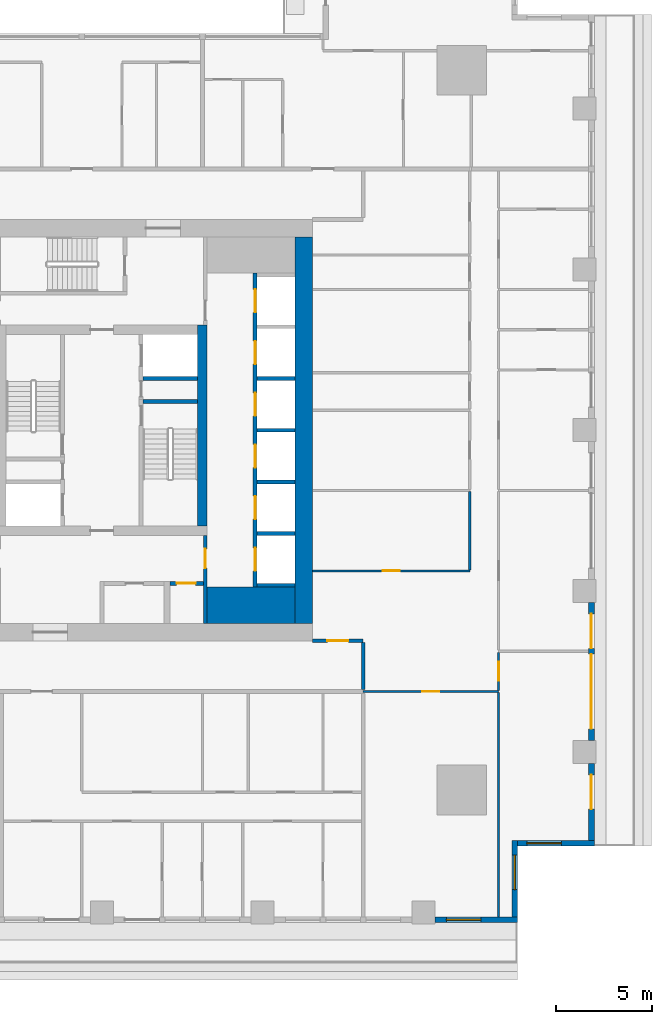
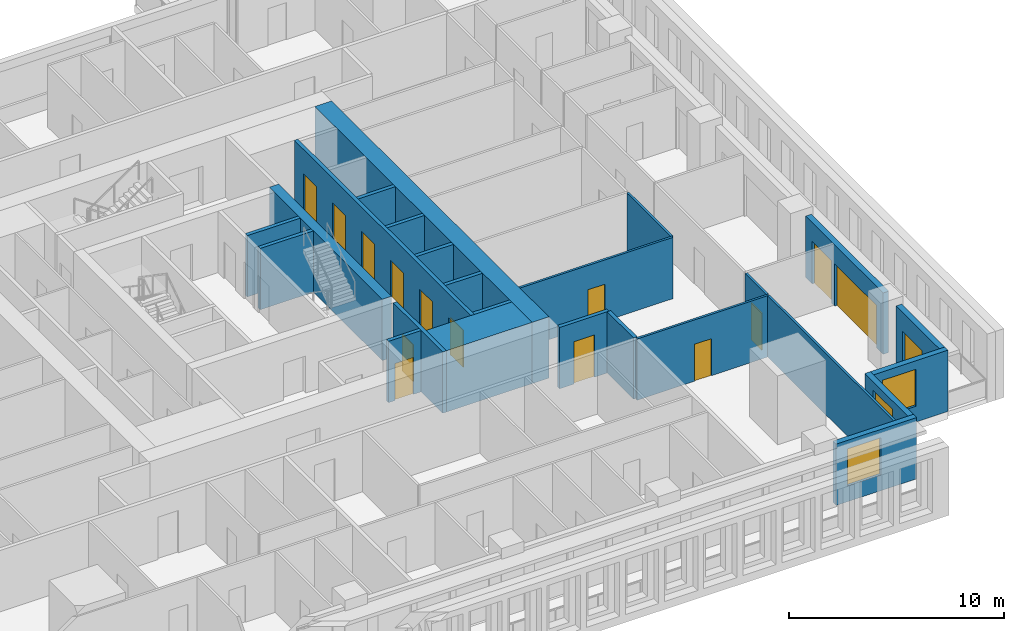
# One storey, part 5 of 15: 25 walls, 15 doors, 3 windows, 18 openings.
"""IFC4 building model written with IfcOpenShell, lengths in metres."""

from ifc_helpers import new_model, si_unit, direction, frame, frame_2d, origin, place, context, subcontext, project, spatial, rectangle, extrude, material, layer, layer_set, type_object, element, fill, save


model = new_model("IFC4")

# Units and contexts
model_context = context("Model", 3, precision=1e-05, world=origin(), true_north=direction((0.0, 1.0)))
body_context = subcontext(model_context, "Body", "Model", "MODEL_VIEW")
ifc_project = project(units=[si_unit("LENGTHUNIT", "METRE"), si_unit("AREAUNIT", "SQUARE_METRE"), si_unit("VOLUMEUNIT", "CUBIC_METRE"), si_unit("PLANEANGLEUNIT", "RADIAN"), si_unit("MASSUNIT", "GRAM", prefix="KILO")], contexts=[model_context])

# Site, building, storey
site_placement = place(None, origin())
site = spatial("IfcSite", under=ifc_project, at=site_placement, CompositionType="ELEMENT")
building_placement = place(site_placement, origin())
building = spatial("IfcBuilding", under=site, at=building_placement, Name="Khepri Terraces", CompositionType="ELEMENT")
storey_placement = place(building_placement, frame((0.0, 0.0, 165.0)))
storey = spatial("IfcBuildingStorey", under=building, at=storey_placement, Name="L39", CompositionType="ELEMENT", Elevation=165.0)

# Walls
ifc_material_1 = material(Name="Concrete C60/75", Category="concrete")
ifc_layer_1 = layer(ifc_material_1, 1.89990234375, Name="Concrete C60/75", Category="concrete")
ifc_layer_set_1 = layer_set([ifc_layer_1], Name="Concrete C60/75")
wall_type_1 = type_object("IfcWallType", Name="Core wall 1900 C60/75", PredefinedType="SHEAR", material=ifc_layer_set_1)
wall_1_placement = place(storey_placement, frame((5.5, -9.14990234375, 0.0), z_axis=(0.0, 0.0, 1.0), x_axis=(1.0, 0.0, 0.0)))
element("IfcWall", 1, at=wall_1_placement, inside=storey, type_object=wall_type_1, Name="Core wall PR02 L39", PredefinedType="SHEAR", context=body_context, shape_type="SweptSolid", body=[
    extrude(rectangle(XDim=4.60009765625, YDim=1.89990234375, at=frame_2d((2.300048828125, 0.0))), origin(), (0.0, 0.0, 1.0), 3.47998046875),
])
ifc_layer_2 = layer(ifc_material_1, 0.199951171875, Name="Concrete C60/75", Category="concrete")
ifc_layer_set_2 = layer_set([ifc_layer_2], Name="Concrete C60/75")
wall_type_2 = type_object("IfcWallType", Name="Core wall 200 C60/75", PredefinedType="SHEAR", material=ifc_layer_set_2)
wall_2_placement = place(storey_placement, frame((2.14990234375, 1.5, 0.0), z_axis=(0.0, 0.0, 1.0), x_axis=(1.0, 0.0, 0.0)))
element("IfcWall", 2, at=wall_2_placement, inside=storey, type_object=wall_type_2, Name="Core wall ST04 L39", PredefinedType="SHEAR", context=body_context, shape_type="SweptSolid", body=[
    extrude(rectangle(XDim=2.85009765625, YDim=0.199951171875, at=frame_2d((1.425048828125, 0.0))), origin(), (0.0, 0.0, 1.0), 3.47998046875),
])

# Wall, openings, doors
wall_3_placement = place(storey_placement, frame((8.0, -8.199951171875, 0.0), z_axis=(0.0, 0.0, 1.0), x_axis=(0.0, 1.0, 0.0)))
wall_3 = element("IfcWall", 3, at=wall_3_placement, inside=storey, type_object=wall_type_2, Name="Core wall SH02 L39", PredefinedType="SHEAR", context=body_context, shape_type="SweptSolid", body=[
    extrude(rectangle(XDim=16.39990234375, YDim=0.199951171875, at=frame_2d((8.199951171875, 0.0))), origin(), (0.0, 0.0, 1.0), 3.47998046875),
])
opening_1_placement = place(wall_3_placement, frame((0.85009765625, 0.0, 0.0)))
opening_1 = element("IfcOpeningElement", 4, at=opening_1_placement, cuts=wall_3, Name="Opening L39-C01", PredefinedType="OPENING", context=body_context, shape_type="SweptSolid", body=[
    extrude(rectangle(XDim=1.199951171875, YDim=2.10009765625, at=frame_2d((0.60009765625, 1.050048828125))), frame((0.0, 0.10986328125, 0.0), z_axis=(0.0, -1.0, 0.0), x_axis=(1.0, 0.0, 0.0)), (0.0, 0.0, 1.0), 0.219970703125),
])
opening_2_placement = place(wall_3_placement, frame((3.550048828125, 0.0, 0.0)))
opening_2 = element("IfcOpeningElement", 5, at=opening_2_placement, cuts=wall_3, Name="Opening L39-C02", PredefinedType="OPENING", context=body_context, shape_type="SweptSolid", body=[
    extrude(rectangle(XDim=1.199951171875, YDim=2.10009765625, at=frame_2d((0.60009765625, 1.050048828125))), frame((0.0, 0.10986328125, 0.0), z_axis=(0.0, -1.0, 0.0), x_axis=(1.0, 0.0, 0.0)), (0.0, 0.0, 1.0), 0.219970703125),
])
opening_3_placement = place(wall_3_placement, frame((6.25, 0.0, 0.0)))
opening_3 = element("IfcOpeningElement", 6, at=opening_3_placement, cuts=wall_3, Name="Opening L39-C03", PredefinedType="OPENING", context=body_context, shape_type="SweptSolid", body=[
    extrude(rectangle(XDim=1.199951171875, YDim=2.10009765625, at=frame_2d((0.60009765625, 1.050048828125))), frame((0.0, 0.10986328125, 0.0), z_axis=(0.0, -1.0, 0.0), x_axis=(1.0, 0.0, 0.0)), (0.0, 0.0, 1.0), 0.219970703125),
])
opening_4_placement = place(wall_3_placement, frame((8.949951171875, 0.0, 0.0)))
opening_4 = element("IfcOpeningElement", 7, at=opening_4_placement, cuts=wall_3, Name="Opening L39-C04", PredefinedType="OPENING", context=body_context, shape_type="SweptSolid", body=[
    extrude(rectangle(XDim=1.199951171875, YDim=2.10009765625, at=frame_2d((0.60009765625, 1.050048828125))), frame((0.0, 0.10986328125, 0.0), z_axis=(0.0, -1.0, 0.0), x_axis=(1.0, 0.0, 0.0)), (0.0, 0.0, 1.0), 0.219970703125),
])
opening_5_placement = place(wall_3_placement, frame((11.64990234375, 0.0, 0.0)))
opening_5 = element("IfcOpeningElement", 8, at=opening_5_placement, cuts=wall_3, Name="Opening L39-C05", PredefinedType="OPENING", context=body_context, shape_type="SweptSolid", body=[
    extrude(rectangle(XDim=1.199951171875, YDim=2.10009765625, at=frame_2d((0.60009765625, 1.050048828125))), frame((0.0, 0.10986328125, 0.0), z_axis=(0.0, -1.0, 0.0), x_axis=(1.0, 0.0, 0.0)), (0.0, 0.0, 1.0), 0.219970703125),
])
opening_6_placement = place(wall_3_placement, frame((14.35009765625, 0.0, 0.0)))
opening_6 = element("IfcOpeningElement", 9, at=opening_6_placement, cuts=wall_3, Name="Opening L39-C06", PredefinedType="OPENING", context=body_context, shape_type="SweptSolid", body=[
    extrude(rectangle(XDim=1.199951171875, YDim=2.10009765625, at=frame_2d((0.60009765625, 1.050048828125))), frame((0.0, 0.10986328125, 0.0), z_axis=(0.0, -1.0, 0.0), x_axis=(1.0, 0.0, 0.0)), (0.0, 0.0, 1.0), 0.219970703125),
])
ifc_material_2 = material(Name="Stainless steel 304", Category="steel")
door_type_1 = type_object("IfcDoorType", Name="DR-CORE-LANDING-1200", OperationType="NOTDEFINED", PredefinedType="DOOR", material=ifc_material_2)
door_1_placement = place(opening_1_placement, origin())
door_1 = element("IfcDoor", 10, at=door_1_placement, inside=storey, type_object=door_type_1, Name="Lift landing door L39-C01", OperationType="SLIDING_TO_LEFT", OverallHeight=2.10009765625, OverallWidth=1.199951171875, PredefinedType="DOOR", context=body_context, shape_type="SweptSolid", body=[
    extrude(rectangle(XDim=1.199951171875, YDim=2.10009765625, at=frame_2d((0.60009765625, 1.050048828125))), frame((0.0, 0.02490234375, 0.0), z_axis=(0.0, -1.0, 0.0), x_axis=(1.0, 0.0, 0.0)), (0.0, 0.0, 1.0), 0.050048828125),
])
fill(opening_1, door_1)
door_2_placement = place(opening_2_placement, origin())
door_2 = element("IfcDoor", 11, at=door_2_placement, inside=storey, type_object=door_type_1, Name="Lift landing door L39-C02", OperationType="SLIDING_TO_LEFT", OverallHeight=2.10009765625, OverallWidth=1.199951171875, PredefinedType="DOOR", context=body_context, shape_type="SweptSolid", body=[
    extrude(rectangle(XDim=1.199951171875, YDim=2.10009765625, at=frame_2d((0.60009765625, 1.050048828125))), frame((0.0, 0.02490234375, 0.0), z_axis=(0.0, -1.0, 0.0), x_axis=(1.0, 0.0, 0.0)), (0.0, 0.0, 1.0), 0.050048828125),
])
fill(opening_2, door_2)
door_3_placement = place(opening_3_placement, origin())
door_3 = element("IfcDoor", 12, at=door_3_placement, inside=storey, type_object=door_type_1, Name="Lift landing door L39-C03", OperationType="SLIDING_TO_LEFT", OverallHeight=2.10009765625, OverallWidth=1.199951171875, PredefinedType="DOOR", context=body_context, shape_type="SweptSolid", body=[
    extrude(rectangle(XDim=1.199951171875, YDim=2.10009765625, at=frame_2d((0.60009765625, 1.050048828125))), frame((0.0, 0.02490234375, 0.0), z_axis=(0.0, -1.0, 0.0), x_axis=(1.0, 0.0, 0.0)), (0.0, 0.0, 1.0), 0.050048828125),
])
fill(opening_3, door_3)
door_4_placement = place(opening_4_placement, origin())
door_4 = element("IfcDoor", 13, at=door_4_placement, inside=storey, type_object=door_type_1, Name="Lift landing door L39-C04", OperationType="SLIDING_TO_LEFT", OverallHeight=2.10009765625, OverallWidth=1.199951171875, PredefinedType="DOOR", context=body_context, shape_type="SweptSolid", body=[
    extrude(rectangle(XDim=1.199951171875, YDim=2.10009765625, at=frame_2d((0.60009765625, 1.050048828125))), frame((0.0, 0.02490234375, 0.0), z_axis=(0.0, -1.0, 0.0), x_axis=(1.0, 0.0, 0.0)), (0.0, 0.0, 1.0), 0.050048828125),
])
fill(opening_4, door_4)
door_5_placement = place(opening_5_placement, origin())
door_5 = element("IfcDoor", 14, at=door_5_placement, inside=storey, type_object=door_type_1, Name="Lift landing door L39-C05", OperationType="SLIDING_TO_LEFT", OverallHeight=2.10009765625, OverallWidth=1.199951171875, PredefinedType="DOOR", context=body_context, shape_type="SweptSolid", body=[
    extrude(rectangle(XDim=1.199951171875, YDim=2.10009765625, at=frame_2d((0.60009765625, 1.050048828125))), frame((0.0, 0.02490234375, 0.0), z_axis=(0.0, -1.0, 0.0), x_axis=(1.0, 0.0, 0.0)), (0.0, 0.0, 1.0), 0.050048828125),
])
fill(opening_5, door_5)
door_6_placement = place(opening_6_placement, origin())
door_6 = element("IfcDoor", 15, at=door_6_placement, inside=storey, type_object=door_type_1, Name="Lift landing door L39-C06", OperationType="SLIDING_TO_LEFT", OverallHeight=2.10009765625, OverallWidth=1.199951171875, PredefinedType="DOOR", context=body_context, shape_type="SweptSolid", body=[
    extrude(rectangle(XDim=1.199951171875, YDim=2.10009765625, at=frame_2d((0.60009765625, 1.050048828125))), frame((0.0, 0.02490234375, 0.0), z_axis=(0.0, -1.0, 0.0), x_axis=(1.0, 0.0, 0.0)), (0.0, 0.0, 1.0), 0.050048828125),
])
fill(opening_6, door_6)

# Walls
for number, where, z_axis, x_axis, name in (
    (16, (8.10009765625, -8.10009765625, 0.0), (0.0, 0.0, 1.0), (1.0, 0.0, 0.0), "Core wall SH03 L39"),
    (17, (8.10009765625, -5.39990234375, 0.0), (0.0, 0.0, 1.0), (1.0, 0.0, 0.0), "Core wall SH04 L39"),
    (18, (8.10009765625, -2.699951171875, 0.0), (0.0, 0.0, 1.0), (1.0, 0.0, 0.0), "Core wall SH08 L39"),
    (19, (8.10009765625, 0.0, 0.0), (0.0, 0.0, 1.0), (1.0, 0.0, 0.0), "Core wall SH09 L39"),
):
    element("IfcWall", number, at=place(storey_placement, frame(where, z_axis=z_axis, x_axis=x_axis)), inside=storey, type_object=wall_type_2, Name=name, PredefinedType="SHEAR", context=body_context, shape_type="SweptSolid", body=[
        extrude(rectangle(XDim=2.0, YDim=0.199951171875, at=frame_2d((1.0, 0.0))), origin(), (0.0, 0.0, 1.0), 3.47998046875),
    ])
wall_4_placement = place(storey_placement, frame((2.14990234375, 2.699951171875, 0.0), z_axis=(0.0, 0.0, 1.0), x_axis=(1.0, 0.0, 0.0)))
element("IfcWall", 20, at=wall_4_placement, inside=storey, type_object=wall_type_2, Name="Core wall SH12 L39", PredefinedType="SHEAR", context=body_context, shape_type="SweptSolid", body=[
    extrude(rectangle(XDim=2.85009765625, YDim=0.199951171875, at=frame_2d((1.425048828125, 0.0))), origin(), (0.0, 0.0, 1.0), 3.47998046875),
])
wall_5_placement = place(storey_placement, frame((8.10009765625, 2.699951171875, 0.0), z_axis=(0.0, 0.0, 1.0), x_axis=(1.0, 0.0, 0.0)))
element("IfcWall", 21, at=wall_5_placement, inside=storey, type_object=wall_type_2, Name="Core wall SH13 L39", PredefinedType="SHEAR", context=body_context, shape_type="SweptSolid", body=[
    extrude(rectangle(XDim=2.0, YDim=0.199951171875, at=frame_2d((1.0, 0.0))), origin(), (0.0, 0.0, 1.0), 3.47998046875),
])
ifc_layer_3 = layer(ifc_material_1, 0.5, Name="Concrete C60/75", Category="concrete")
ifc_layer_set_3 = layer_set([ifc_layer_3], Name="Concrete C60/75")
wall_type_3 = type_object("IfcWallType", Name="Core wall 500 C60/75", PredefinedType="SHEAR", material=ifc_layer_set_3)
wall_6_placement = place(storey_placement, frame((5.25, -5.0, 0.0), z_axis=(0.0, 0.0, 1.0), x_axis=(0.0, 1.0, 0.0)))
element("IfcWall", 22, at=wall_6_placement, inside=storey, type_object=wall_type_3, Name="Core wall BX03 L39", PredefinedType="SHEAR", context=body_context, shape_type="SweptSolid", body=[
    extrude(rectangle(XDim=10.5, YDim=0.5, at=frame_2d((5.25, 0.0))), origin(), (0.0, 0.0, 1.0), 3.47998046875),
])
ifc_layer_4 = layer(ifc_material_1, 0.89990234375, Name="Concrete C60/75", Category="concrete")
ifc_layer_set_4 = layer_set([ifc_layer_4], Name="Concrete C60/75")
wall_type_4 = type_object("IfcWallType", Name="Core wall 900 C60/75", PredefinedType="SHEAR", material=ifc_layer_set_4)
wall_7_placement = place(storey_placement, frame((10.550048828125, -10.10009765625, 0.0), z_axis=(0.0, 0.0, 1.0), x_axis=(0.0, 1.0, 0.0)))
element("IfcWall", 23, at=wall_7_placement, inside=storey, type_object=wall_type_4, Name="Core wall OW-E L39", PredefinedType="SHEAR", context=body_context, shape_type="SweptSolid", body=[
    extrude(rectangle(XDim=20.2001953125, YDim=0.89990234375, at=frame_2d((10.10009765625, 0.0))), origin(), (0.0, 0.0, 1.0), 3.47998046875),
])

# Wall, opening, door
ifc_material_3 = material(Name="Fire-rated gypsum board partition")
ifc_layer_5 = layer(ifc_material_3, 0.199951171875, Name="Fire-rated gypsum board partition")
ifc_layer_set_5 = layer_set([ifc_layer_5], Name="Fire-rated gypsum board partition")
wall_type_5 = type_object("IfcWallType", Name="WL-CORE-PART-200", PredefinedType="PARTITIONING", material=ifc_layer_set_5)
wall_8_placement = place(storey_placement, frame((5.39990234375, -10.10009765625, 0.0), z_axis=(0.0, 0.0, 1.0), x_axis=(0.0, 1.0, 0.0)))
wall_8 = element("IfcWall", 24, at=wall_8_placement, inside=storey, type_object=wall_type_5, Name="Core partition PT04 L39", PredefinedType="PARTITIONING", context=body_context, shape_type="SweptSolid", body=[
    extrude(rectangle(XDim=4.60009765625, YDim=0.199951171875, at=frame_2d((2.300048828125, 0.0))), origin(), (0.0, 0.0, 1.0), 3.47998046875),
])
opening_7_placement = place(wall_8_placement, frame((2.89990234375, 0.0, 0.0)))
opening_7 = element("IfcOpeningElement", 25, at=opening_7_placement, cuts=wall_8, Name="Opening L39-C19", PredefinedType="OPENING", context=body_context, shape_type="SweptSolid", body=[
    extrude(rectangle(XDim=1.0, YDim=2.10009765625, at=frame_2d((0.5, 1.050048828125))), frame((0.0, 0.10986328125, 0.0), z_axis=(0.0, -1.0, 0.0), x_axis=(1.0, 0.0, 0.0)), (0.0, 0.0, 1.0), 0.219970703125),
])
ifc_material_4 = material(Name="Painted steel", Category="steel")
door_type_2 = type_object("IfcDoorType", Name="DR-CORE-LOBBY-1000", OperationType="NOTDEFINED", PredefinedType="DOOR", material=ifc_material_4)
door_7_placement = place(opening_7_placement, origin())
door_7 = element("IfcDoor", 26, at=door_7_placement, inside=storey, type_object=door_type_2, Name="Lobby door L39-C19", OperationType="SINGLE_SWING_RIGHT", OverallHeight=2.10009765625, OverallWidth=1.0, PredefinedType="DOOR", context=body_context, shape_type="SweptSolid", body=[
    extrude(rectangle(XDim=1.0, YDim=2.10009765625, at=frame_2d((0.5, 1.050048828125))), frame((0.0, 0.02490234375, 0.0), z_axis=(0.0, -1.0, 0.0), x_axis=(1.0, 0.0, 0.0)), (0.0, 0.0, 1.0), 0.050048828125),
])
fill(opening_7, door_7)

wall_9_placement = place(storey_placement, frame((3.550048828125, -8.0, 0.0), z_axis=(0.0, 0.0, 1.0), x_axis=(1.0, 0.0, 0.0)))
wall_9 = element("IfcWall", 27, at=wall_9_placement, inside=storey, type_object=wall_type_5, Name="Core partition PT07 L39", PredefinedType="PARTITIONING", context=body_context, shape_type="SweptSolid", body=[
    extrude(rectangle(XDim=1.75, YDim=0.199951171875, at=frame_2d((0.875, 0.0))), origin(), (0.0, 0.0, 1.0), 3.47998046875),
])
opening_8_placement = place(wall_9_placement, frame((0.35009765625, 0.0, 0.0)))
opening_8 = element("IfcOpeningElement", 28, at=opening_8_placement, cuts=wall_9, Name="Opening L39-C23", PredefinedType="OPENING", context=body_context, shape_type="SweptSolid", body=[
    extrude(rectangle(XDim=1.0, YDim=2.10009765625, at=frame_2d((0.5, 1.050048828125))), frame((0.0, 0.10986328125, 0.0), z_axis=(0.0, -1.0, 0.0), x_axis=(1.0, 0.0, 0.0)), (0.0, 0.0, 1.0), 0.219970703125),
])
ifc_material_5 = material(Name="Timber veneer", Category="wood")
door_type_3 = type_object("IfcDoorType", Name="DR-CORE-WC-1000", OperationType="NOTDEFINED", PredefinedType="DOOR", material=ifc_material_5)
door_8_placement = place(opening_8_placement, frame((1.0, 0.0, 0.0), z_axis=(0.0, 0.0, 1.0), x_axis=(-1.0, 0.0, 0.0)))
door_8 = element("IfcDoor", 29, at=door_8_placement, inside=storey, type_object=door_type_3, Name="WC door L39-C23", OperationType="SINGLE_SWING_RIGHT", OverallHeight=2.10009765625, OverallWidth=1.0, PredefinedType="DOOR", context=body_context, shape_type="SweptSolid", body=[
    extrude(rectangle(XDim=1.0, YDim=2.10009765625, at=frame_2d((0.5, 1.050048828125))), frame((0.0, 0.02490234375, 0.0), z_axis=(0.0, -1.0, 0.0), x_axis=(1.0, 0.0, 0.0)), (0.0, 0.0, 1.0), 0.050048828125),
])
fill(opening_8, door_8)

# Wall
ifc_material_6 = material(Name="Fire-rated gypsum plasterboard partition, mineral wool")
ifc_layer_6 = layer(ifc_material_6, 0.199951171875, Name="Fire-rated gypsum plasterboard partition, mineral wool")
ifc_layer_set_6 = layer_set([ifc_layer_6], Name="Fire-rated gypsum plasterboard partition, mineral wool")
wall_type_6 = type_object("IfcWallType", Name="WL-CORR-200", PredefinedType="PARTITIONING", material=ifc_layer_set_6)
wall_10_placement = place(storey_placement, frame((13.64990234375, -13.550048828125, 0.0), z_axis=(0.0, 0.0, 1.0), x_axis=(0.0, 1.0, 0.0)))
element("IfcWall", 30, at=wall_10_placement, inside=storey, type_object=wall_type_6, Name="Partition P-029 L39", PredefinedType="PARTITIONING", context=body_context, shape_type="SweptSolid", body=[
    extrude(rectangle(XDim=2.449951171875, YDim=0.199951171875, at=frame_2d((1.22509765625, 0.0))), origin(), (0.0, 0.0, 1.0), 3.47998046875),
])

# Wall, opening, door
wall_11_placement = place(storey_placement, frame((11.0, -11.0, 0.0), z_axis=(0.0, 0.0, 1.0), x_axis=(1.0, 0.0, 0.0)))
wall_11 = element("IfcWall", 31, at=wall_11_placement, inside=storey, type_object=wall_type_6, Name="Partition P-035 L39", PredefinedType="PARTITIONING", context=body_context, shape_type="SweptSolid", body=[
    extrude(rectangle(XDim=2.64990234375, YDim=0.199951171875, at=frame_2d((1.324951171875, 0.0))), origin(), (0.0, 0.0, 1.0), 3.47998046875),
])
opening_9_placement = place(wall_11_placement, frame((0.77490234375, 0.0, 0.0)))
opening_9 = element("IfcOpeningElement", 32, at=opening_9_placement, cuts=wall_11, Name="Opening D1", PredefinedType="OPENING", context=body_context, shape_type="SweptSolid", body=[
    extrude(rectangle(XDim=1.10009765625, YDim=2.39990234375, at=frame_2d((0.550048828125, 1.199951171875))), frame((0.0, 0.10986328125, 0.0), z_axis=(0.0, -1.0, 0.0), x_axis=(1.0, 0.0, 0.0)), (0.0, 0.0, 1.0), 0.219970703125),
])
ifc_material_7 = material(Name="Solid-core timber door leaf, flat entrance door", Category="wood")
door_type_4 = type_object("IfcDoorType", Name="DR-ENT-1100", OperationType="NOTDEFINED", PredefinedType="DOOR", material=ifc_material_7)
door_9_placement = place(opening_9_placement, origin())
door_9 = element("IfcDoor", 33, at=door_9_placement, inside=storey, type_object=door_type_4, Name="Flat B1 entrance door", OperationType="SINGLE_SWING_LEFT", OverallHeight=2.39990234375, OverallWidth=1.10009765625, PredefinedType="DOOR", context=body_context, shape_type="SweptSolid", body=[
    extrude(rectangle(XDim=1.10009765625, YDim=2.39990234375, at=frame_2d((0.550048828125, 1.199951171875))), frame((0.0, 0.02490234375, 0.0), z_axis=(0.0, -1.0, 0.0), x_axis=(1.0, 0.0, 0.0)), (0.0, 0.0, 1.0), 0.050048828125),
])
fill(opening_9, door_9)

# Wall, opening, window
ifc_material_8 = material(Name="Precast concrete C50/60 warm stone", Category="masonry")
ifc_layer_7 = layer(ifc_material_8, 0.300048828125, Name="Precast concrete C50/60 warm stone", Category="masonry")
ifc_layer_set_7 = layer_set([ifc_layer_7], Name="Precast concrete C50/60 warm stone")
wall_type_7 = type_object("IfcWallType", Name="WL-EXT-PRECAST-300", PredefinedType="STANDARD", material=ifc_layer_set_7)
wall_12_placement = place(storey_placement, frame((21.719970703125, -21.570068359375, 0.0), z_axis=(0.0, 0.0, 1.0), x_axis=(1.0, 0.0, 0.0)))
wall_12 = element("IfcWall", 34, at=wall_12_placement, inside=storey, type_object=wall_type_7, Name="External wall L39 S", PredefinedType="STANDARD", context=body_context, shape_type="SweptSolid", body=[
    extrude(rectangle(XDim=4.0, YDim=0.300048828125, at=frame_2d((2.0, 0.0))), origin(), (0.0, 0.0, 1.0), 3.47998046875),
])
opening_10_placement = place(wall_12_placement, frame((0.47998046875, 0.0, 0.89990234375)))
opening_10 = element("IfcOpeningElement", 35, at=opening_10_placement, cuts=wall_12, Name="Opening W1", PredefinedType="OPENING", context=body_context, shape_type="SweptSolid", body=[
    extrude(rectangle(XDim=1.800048828125, YDim=2.10009765625, at=frame_2d((0.89990234375, 1.050048828125))), frame((0.0, 0.16015625, 0.0), z_axis=(0.0, -1.0, 0.0), x_axis=(1.0, 0.0, 0.0)), (0.0, 0.0, 1.0), 0.320068359375),
])
ifc_material_9 = material(Name="Clear glass", Category="glass")
window_type = type_object("IfcWindowType", Name="WIN-RES-1800x2100", PartitioningType="SINGLE_PANEL", PredefinedType="WINDOW", material=ifc_material_9)
window_1_placement = place(opening_10_placement, origin())
window_1 = element("IfcWindow", 36, at=window_1_placement, inside=storey, type_object=window_type, Name="Window L39 S", OverallHeight=2.10009765625, OverallWidth=1.800048828125, PartitioningType="SINGLE_PANEL", PredefinedType="WINDOW", context=body_context, shape_type="SweptSolid", body=[
    extrude(rectangle(XDim=1.800048828125, YDim=2.10009765625, at=frame_2d((0.89990234375, 1.050048828125))), frame((0.0, 0.030029296875, 0.0), z_axis=(0.0, -1.0, 0.0), x_axis=(1.0, 0.0, 0.0)), (0.0, 0.0, 1.0), 0.06005859375),
])
fill(opening_10, window_1)

# Wall, opening, door
wall_13_placement = place(storey_placement, frame((25.570068359375, -21.419921875, 0.0), z_axis=(0.0, 0.0, 1.0), x_axis=(0.0, 1.0, 0.0)))
wall_13 = element("IfcWall", 37, at=wall_13_placement, inside=storey, type_object=wall_type_7, Name="External wall L39 E", PredefinedType="STANDARD", context=body_context, shape_type="SweptSolid", body=[
    extrude(rectangle(XDim=4.02001953125, YDim=0.300048828125, at=frame_2d((2.010009765625, 0.0))), origin(), (0.0, 0.0, 1.0), 3.47998046875),
])
opening_11_placement = place(wall_13_placement, frame((1.6201171875, 0.0, 0.0)))
opening_11 = element("IfcOpeningElement", 38, at=opening_11_placement, cuts=wall_13, Name="Opening ED-L39-01", PredefinedType="OPENING", context=body_context, shape_type="SweptSolid", body=[
    extrude(rectangle(XDim=1.800048828125, YDim=2.39990234375, at=frame_2d((0.89990234375, 1.199951171875))), frame((0.0, 0.16015625, 0.0), z_axis=(0.0, -1.0, 0.0), x_axis=(1.0, 0.0, 0.0)), (0.0, 0.0, 1.0), 0.320068359375),
])
ifc_material_10 = material(Name="Anodised aluminium bronze glazed door", Category="aluminium")
door_type_5 = type_object("IfcDoorType", Name="DR-BAL-SLIDE-1800x2400", OperationType="NOTDEFINED", PredefinedType="DOOR", material=ifc_material_10)
door_10_placement = place(opening_11_placement, origin())
door_10 = element("IfcDoor", 39, at=door_10_placement, inside=storey, type_object=door_type_5, Name="Balcony door L39 E", OperationType="SLIDING_TO_RIGHT", OverallHeight=2.39990234375, OverallWidth=1.800048828125, PredefinedType="DOOR", context=body_context, shape_type="SweptSolid", body=[
    extrude(rectangle(XDim=1.800048828125, YDim=2.39990234375, at=frame_2d((0.89990234375, 1.199951171875))), frame((0.0, 0.02490234375, 0.0), z_axis=(0.0, -1.0, 0.0), x_axis=(1.0, 0.0, 0.0)), (0.0, 0.0, 1.0), 0.050048828125),
])
fill(opening_11, door_10)

# Wall, openings, doors
wall_14_placement = place(storey_placement, frame((25.570068359375, -16.199951171875, 0.0), z_axis=(0.0, 0.0, 1.0), x_axis=(0.0, 1.0, 0.0)))
wall_14 = element("IfcWall", 40, at=wall_14_placement, inside=storey, type_object=wall_type_7, Name="External wall L39 E", PredefinedType="STANDARD", context=body_context, shape_type="SweptSolid", body=[
    extrude(rectangle(XDim=7.199951171875, YDim=0.300048828125, at=frame_2d((3.60009765625, 0.0))), origin(), (0.0, 0.0, 1.0), 3.47998046875),
])
opening_12_placement = place(wall_14_placement, frame((0.60009765625, 0.0, 0.0)))
opening_12 = element("IfcOpeningElement", 41, at=opening_12_placement, cuts=wall_14, Name="Opening ED-L39-02", PredefinedType="OPENING", context=body_context, shape_type="SweptSolid", body=[
    extrude(rectangle(XDim=3.89990234375, YDim=2.39990234375, at=frame_2d((1.949951171875, 1.199951171875))), frame((0.0, 0.16015625, 0.0), z_axis=(0.0, -1.0, 0.0), x_axis=(1.0, 0.0, 0.0)), (0.0, 0.0, 1.0), 0.320068359375),
])
opening_13_placement = place(wall_14_placement, frame((4.800048828125, 0.0, 0.0)))
opening_13 = element("IfcOpeningElement", 42, at=opening_13_placement, cuts=wall_14, Name="Opening ED-L39-03", PredefinedType="OPENING", context=body_context, shape_type="SweptSolid", body=[
    extrude(rectangle(XDim=1.800048828125, YDim=2.39990234375, at=frame_2d((0.89990234375, 1.199951171875))), frame((0.0, 0.16015625, 0.0), z_axis=(0.0, -1.0, 0.0), x_axis=(1.0, 0.0, 0.0)), (0.0, 0.0, 1.0), 0.320068359375),
])
door_11_placement = place(opening_13_placement, origin())
door_11 = element("IfcDoor", 43, at=door_11_placement, inside=storey, type_object=door_type_5, Name="Balcony door L39 E", OperationType="SLIDING_TO_RIGHT", OverallHeight=2.39990234375, OverallWidth=1.800048828125, PredefinedType="DOOR", context=body_context, shape_type="SweptSolid", body=[
    extrude(rectangle(XDim=1.800048828125, YDim=2.39990234375, at=frame_2d((0.89990234375, 1.199951171875))), frame((0.0, 0.02490234375, 0.0), z_axis=(0.0, -1.0, 0.0), x_axis=(1.0, 0.0, 0.0)), (0.0, 0.0, 1.0), 0.050048828125),
])
fill(opening_13, door_11)
door_type_6 = type_object("IfcDoorType", Name="DR-BAL-SLIDE-3900x2400", OperationType="NOTDEFINED", PredefinedType="DOOR", material=ifc_material_10)
door_12_placement = place(opening_12_placement, origin())
door_12 = element("IfcDoor", 44, at=door_12_placement, inside=storey, type_object=door_type_6, Name="Balcony door L39 E", OperationType="SLIDING_TO_LEFT", OverallHeight=2.39990234375, OverallWidth=3.89990234375, PredefinedType="DOOR", context=body_context, shape_type="SweptSolid", body=[
    extrude(rectangle(XDim=3.89990234375, YDim=2.39990234375, at=frame_2d((1.949951171875, 1.199951171875))), frame((0.0, 0.02490234375, 0.0), z_axis=(0.0, -1.0, 0.0), x_axis=(1.0, 0.0, 0.0)), (0.0, 0.0, 1.0), 0.050048828125),
])
fill(opening_12, door_12)

# Wall, opening, window
wall_15_placement = place(storey_placement, frame((17.39990234375, -25.570068359375, 0.0), z_axis=(0.0, 0.0, 1.0), x_axis=(1.0, 0.0, 0.0)))
wall_15 = element("IfcWall", 45, at=wall_15_placement, inside=storey, type_object=wall_type_7, Name="External wall L39 S", PredefinedType="STANDARD", context=body_context, shape_type="SweptSolid", body=[
    extrude(rectangle(XDim=4.320068359375, YDim=0.300048828125, at=frame_2d((2.16015625, 0.0))), origin(), (0.0, 0.0, 1.0), 3.47998046875),
])
opening_14_placement = place(wall_15_placement, frame((0.60009765625, 0.0, 0.89990234375)))
opening_14 = element("IfcOpeningElement", 46, at=opening_14_placement, cuts=wall_15, Name="Opening W1", PredefinedType="OPENING", context=body_context, shape_type="SweptSolid", body=[
    extrude(rectangle(XDim=1.800048828125, YDim=2.10009765625, at=frame_2d((0.89990234375, 1.050048828125))), frame((0.0, 0.16015625, 0.0), z_axis=(0.0, -1.0, 0.0), x_axis=(1.0, 0.0, 0.0)), (0.0, 0.0, 1.0), 0.320068359375),
])
window_2_placement = place(opening_14_placement, origin())
window_2 = element("IfcWindow", 47, at=window_2_placement, inside=storey, type_object=window_type, Name="Window L39 S", OverallHeight=2.10009765625, OverallWidth=1.800048828125, PartitioningType="SINGLE_PANEL", PredefinedType="WINDOW", context=body_context, shape_type="SweptSolid", body=[
    extrude(rectangle(XDim=1.800048828125, YDim=2.10009765625, at=frame_2d((0.89990234375, 1.050048828125))), frame((0.0, 0.030029296875, 0.0), z_axis=(0.0, -1.0, 0.0), x_axis=(1.0, 0.0, 0.0)), (0.0, 0.0, 1.0), 0.06005859375),
])
fill(opening_14, window_2)

wall_16_placement = place(storey_placement, frame((21.570068359375, -25.419921875, 0.0), z_axis=(0.0, 0.0, 1.0), x_axis=(0.0, 1.0, 0.0)))
wall_16 = element("IfcWall", 48, at=wall_16_placement, inside=storey, type_object=wall_type_7, Name="External wall L39 E", PredefinedType="STANDARD", context=body_context, shape_type="SweptSolid", body=[
    extrude(rectangle(XDim=4.0, YDim=0.300048828125, at=frame_2d((2.0, 0.0))), origin(), (0.0, 0.0, 1.0), 3.47998046875),
])
opening_15_placement = place(wall_16_placement, frame((1.419921875, 0.0, 0.89990234375)))
opening_15 = element("IfcOpeningElement", 49, at=opening_15_placement, cuts=wall_16, Name="Opening W1", PredefinedType="OPENING", context=body_context, shape_type="SweptSolid", body=[
    extrude(rectangle(XDim=1.800048828125, YDim=2.10009765625, at=frame_2d((0.89990234375, 1.050048828125))), frame((0.0, 0.16015625, 0.0), z_axis=(0.0, -1.0, 0.0), x_axis=(1.0, 0.0, 0.0)), (0.0, 0.0, 1.0), 0.320068359375),
])
window_3_placement = place(opening_15_placement, origin())
window_3 = element("IfcWindow", 50, at=window_3_placement, inside=storey, type_object=window_type, Name="Window L39 E", OverallHeight=2.10009765625, OverallWidth=1.800048828125, PartitioningType="SINGLE_PANEL", PredefinedType="WINDOW", context=body_context, shape_type="SweptSolid", body=[
    extrude(rectangle(XDim=1.800048828125, YDim=2.10009765625, at=frame_2d((0.89990234375, 1.050048828125))), frame((0.0, 0.030029296875, 0.0), z_axis=(0.0, -1.0, 0.0), x_axis=(1.0, 0.0, 0.0)), (0.0, 0.0, 1.0), 0.06005859375),
])
fill(opening_15, window_3)

# Wall
ifc_material_11 = material(Name="Gypsum plasterboard partition")
ifc_layer_8 = layer(ifc_material_11, 0.1201171875, Name="Gypsum plasterboard partition")
ifc_layer_set_8 = layer_set([ifc_layer_8], Name="Gypsum plasterboard partition")
wall_type_8 = type_object("IfcWallType", Name="WL-PART-120", PredefinedType="PARTITIONING", material=ifc_layer_set_8)
wall_17_placement = place(storey_placement, frame((20.719970703125, -25.419921875, 0.0), z_axis=(0.0, 0.0, 1.0), x_axis=(0.0, 1.0, 0.0)))
element("IfcWall", 51, at=wall_17_placement, inside=storey, type_object=wall_type_8, Name="Partition P-011 L39", PredefinedType="PARTITIONING", context=body_context, shape_type="SweptSolid", body=[
    extrude(rectangle(XDim=11.7099609375, YDim=0.1201171875, at=frame_2d((5.85498046875, 0.0))), origin(), (0.0, 0.0, 1.0), 3.47998046875),
])

# Wall, opening, door
wall_18_placement = place(storey_placement, frame((13.64990234375, -13.64990234375, 0.0), z_axis=(0.0, 0.0, 1.0), x_axis=(1.0, 0.0, 0.0)))
wall_18 = element("IfcWall", 52, at=wall_18_placement, inside=storey, type_object=wall_type_8, Name="Partition P-024 L39", PredefinedType="PARTITIONING", context=body_context, shape_type="SweptSolid", body=[
    extrude(rectangle(XDim=7.070068359375, YDim=0.1201171875, at=frame_2d((3.53515625, 0.0))), origin(), (0.0, 0.0, 1.0), 3.47998046875),
])
opening_16_placement = place(wall_18_placement, frame((3.0849609375, 0.0, 0.0)))
opening_16 = element("IfcOpeningElement", 53, at=opening_16_placement, cuts=wall_18, Name="Opening D3", PredefinedType="OPENING", context=body_context, shape_type="SweptSolid", body=[
    extrude(rectangle(XDim=0.89990234375, YDim=2.10009765625, at=frame_2d((0.449951171875, 1.050048828125))), frame((0.0, 0.070068359375, 0.0), z_axis=(0.0, -1.0, 0.0), x_axis=(1.0, 0.0, 0.0)), (0.0, 0.0, 1.0), 0.14013671875),
])
ifc_material_12 = material(Name="Timber door leaf", Category="wood")
door_type_7 = type_object("IfcDoorType", Name="DR-INT-900", OperationType="NOTDEFINED", PredefinedType="DOOR", material=ifc_material_12)
door_13_placement = place(opening_16_placement, frame((0.89990234375, 0.0, 0.0), z_axis=(0.0, 0.0, 1.0), x_axis=(-1.0, 0.0, 0.0)))
door_13 = element("IfcDoor", 54, at=door_13_placement, inside=storey, type_object=door_type_7, Name="Door Home Cinema", OperationType="SINGLE_SWING_RIGHT", OverallHeight=2.10009765625, OverallWidth=0.89990234375, PredefinedType="DOOR", context=body_context, shape_type="SweptSolid", body=[
    extrude(rectangle(XDim=0.89990234375, YDim=2.10009765625, at=frame_2d((0.449951171875, 1.050048828125))), frame((0.0, 0.02490234375, 0.0), z_axis=(0.0, -1.0, 0.0), x_axis=(1.0, 0.0, 0.0)), (0.0, 0.0, 1.0), 0.050048828125),
])
fill(opening_16, door_13)

wall_19_placement = place(storey_placement, frame((20.719970703125, -13.590087890625, 0.0), z_axis=(0.0, 0.0, 1.0), x_axis=(0.0, 1.0, 0.0)))
wall_19 = element("IfcWall", 55, at=wall_19_placement, inside=storey, type_object=wall_type_8, Name="Partition P-025 L39", PredefinedType="PARTITIONING", context=body_context, shape_type="SweptSolid", body=[
    extrude(rectangle(XDim=1.97998046875, YDim=0.1201171875, at=frame_2d((0.989990234375, 0.0))), origin(), (0.0, 0.0, 1.0), 3.47998046875),
])
opening_17_placement = place(wall_19_placement, frame((0.489990234375, 0.0, 0.0)))
opening_17 = element("IfcOpeningElement", 56, at=opening_17_placement, cuts=wall_19, Name="Opening D2", PredefinedType="OPENING", context=body_context, shape_type="SweptSolid", body=[
    extrude(rectangle(XDim=1.0, YDim=2.10009765625, at=frame_2d((0.5, 1.050048828125))), frame((0.0, 0.070068359375, 0.0), z_axis=(0.0, -1.0, 0.0), x_axis=(1.0, 0.0, 0.0)), (0.0, 0.0, 1.0), 0.14013671875),
])
ifc_material_13 = material(Name="Timber door leaf, living room door", Category="wood")
door_type_8 = type_object("IfcDoorType", Name="DR-INT-1000", OperationType="NOTDEFINED", PredefinedType="DOOR", material=ifc_material_13)
door_14_placement = place(opening_17_placement, frame((1.0, 0.0, 0.0), z_axis=(0.0, 0.0, 1.0), x_axis=(-1.0, 0.0, 0.0)))
door_14 = element("IfcDoor", 57, at=door_14_placement, inside=storey, type_object=door_type_8, Name="Door Sun Lounge", OperationType="SINGLE_SWING_RIGHT", OverallHeight=2.10009765625, OverallWidth=1.0, PredefinedType="DOOR", context=body_context, shape_type="SweptSolid", body=[
    extrude(rectangle(XDim=1.0, YDim=2.10009765625, at=frame_2d((0.5, 1.050048828125))), frame((0.0, 0.02490234375, 0.0), z_axis=(0.0, -1.0, 0.0), x_axis=(1.0, 0.0, 0.0)), (0.0, 0.0, 1.0), 0.050048828125),
])
fill(opening_17, door_14)

wall_20_placement = place(storey_placement, frame((11.0, -7.35009765625, 0.0), z_axis=(0.0, 0.0, 1.0), x_axis=(1.0, 0.0, 0.0)))
wall_20 = element("IfcWall", 58, at=wall_20_placement, inside=storey, type_object=wall_type_8, Name="Partition P-040 L39", PredefinedType="PARTITIONING", context=body_context, shape_type="SweptSolid", body=[
    extrude(rectangle(XDim=8.219970703125, YDim=0.1201171875, at=frame_2d((4.10986328125, 0.0))), origin(), (0.0, 0.0, 1.0), 3.47998046875),
])
opening_18_placement = place(wall_20_placement, frame((3.659912109375, 0.0, 0.0)))
opening_18 = element("IfcOpeningElement", 59, at=opening_18_placement, cuts=wall_20, Name="Opening D3", PredefinedType="OPENING", context=body_context, shape_type="SweptSolid", body=[
    extrude(rectangle(XDim=0.89990234375, YDim=2.10009765625, at=frame_2d((0.449951171875, 1.050048828125))), frame((0.0, 0.070068359375, 0.0), z_axis=(0.0, -1.0, 0.0), x_axis=(1.0, 0.0, 0.0)), (0.0, 0.0, 1.0), 0.14013671875),
])
door_15_placement = place(opening_18_placement, origin())
door_15 = element("IfcDoor", 60, at=door_15_placement, inside=storey, type_object=door_type_7, Name="Door Kitchen", OperationType="SINGLE_SWING_RIGHT", OverallHeight=2.10009765625, OverallWidth=0.89990234375, PredefinedType="DOOR", context=body_context, shape_type="SweptSolid", body=[
    extrude(rectangle(XDim=0.89990234375, YDim=2.10009765625, at=frame_2d((0.449951171875, 1.050048828125))), frame((0.0, 0.02490234375, 0.0), z_axis=(0.0, -1.0, 0.0), x_axis=(1.0, 0.0, 0.0)), (0.0, 0.0, 1.0), 0.050048828125),
])
fill(opening_18, door_15)

# Wall
wall_21_placement = place(storey_placement, frame((19.219970703125, -7.2900390625, 0.0), z_axis=(0.0, 0.0, 1.0), x_axis=(0.0, 1.0, 0.0)))
element("IfcWall", 61, at=wall_21_placement, inside=storey, type_object=wall_type_8, Name="Partition P-043 L39", PredefinedType="PARTITIONING", context=body_context, shape_type="SweptSolid", body=[
    extrude(rectangle(XDim=4.080078125, YDim=0.1201171875, at=frame_2d((2.0400390625, 0.0))), origin(), (0.0, 0.0, 1.0), 3.47998046875),
])

save(model, "model.ifc")
